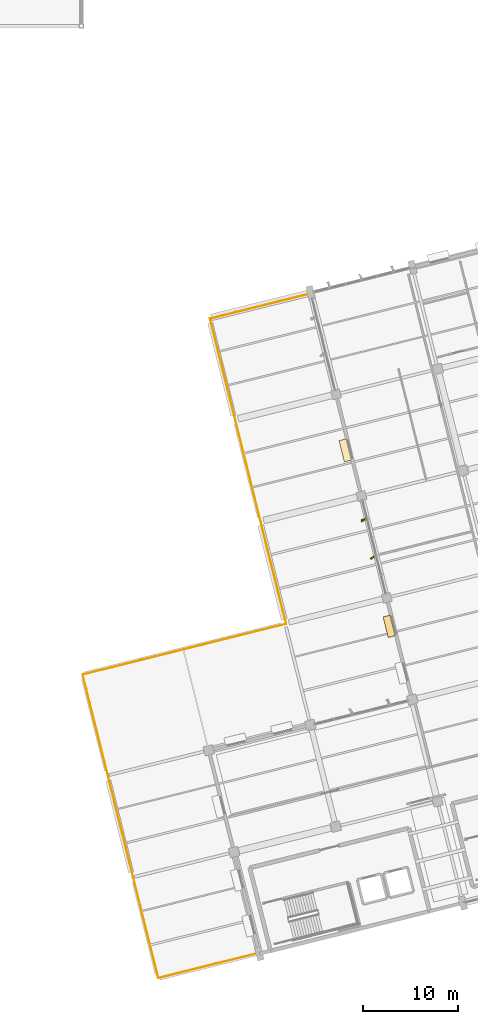
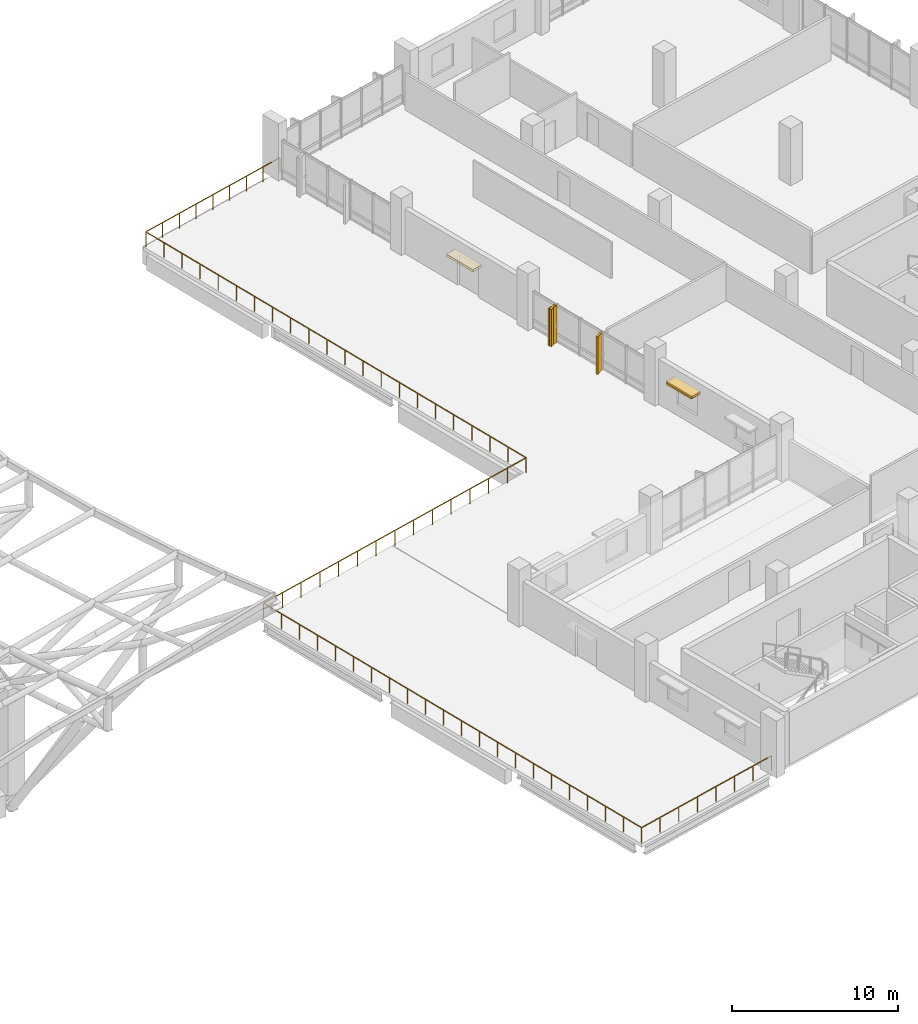
# One storey, part 72 of 75: 3 coverings, 3 shading devices, 1 railing.
"""IFC4 building model written with IfcOpenShell, lengths in metres."""

from ifc_helpers import new_model, si_unit, direction, frame, origin, origin_2d, place, context, subcontext, project, spatial, rectangle, extrude, material, layer, layer_set, type_object, element, save


model = new_model("IFC4")

# Units and contexts
model_context = context("Model", 3, precision=1e-05, world=origin(), true_north=direction((0.0, 1.0)))
body_context = subcontext(model_context, "Body", "Model", "MODEL_VIEW")
ifc_project = project(units=[si_unit("LENGTHUNIT", "METRE"), si_unit("AREAUNIT", "SQUARE_METRE"), si_unit("VOLUMEUNIT", "CUBIC_METRE"), si_unit("PLANEANGLEUNIT", "RADIAN"), si_unit("MASSUNIT", "GRAM", prefix="KILO")], contexts=[model_context])

# Site, building, storey
site_placement = place(None, origin())
site = spatial("IfcSite", under=ifc_project, at=site_placement, CompositionType="ELEMENT")
building_placement = place(site_placement, origin())
building = spatial("IfcBuilding", under=site, at=building_placement, Name="Khorjan Park Terminus", CompositionType="ELEMENT")
storey_placement = place(building_placement, frame((0.0, 0.0, 16.2)))
storey = spatial("IfcBuildingStorey", under=building, at=storey_placement, Name="L03", CompositionType="ELEMENT", Elevation=16.2)

# Coverings
ifc_material_1 = material(Name="Pigmented Precast GRC", Category="concrete")
ifc_layer_1 = layer(ifc_material_1, 0.16)
ifc_layer_set_1 = layer_set([ifc_layer_1], Name="Pigmented Precast GRC")
covering_type_1 = type_object("IfcCoveringType", Name="CV-FIN-GRC", PredefinedType="CLADDING", material=ifc_layer_set_1)
covering_1_placement = place(storey_placement, frame((187.6291, 50.1907, -0.02), z_axis=(0.0, 0.0, 1.0), x_axis=(0.970295726276, 0.2419218956, 0.0)))
element("IfcCovering", 1, at=covering_1_placement, inside=storey, type_object=covering_type_1, Name="Projecting desert-sandstone GRC facade fin CL-FN1 (CW-V5-NW1-L03-B03-1)", PredefinedType="CLADDING", context=body_context, shape_type="SweptSolid", body=[
    extrude(rectangle(XDim=0.58, YDim=0.16, at=origin_2d()), origin(), (0.0, 0.0, 1.0), 2.755),
])
ifc_layer_2 = layer(ifc_material_1, 0.18)
ifc_layer_set_2 = layer_set([ifc_layer_2], Name="Pigmented Precast GRC")
covering_type_2 = type_object("IfcCoveringType", Name="CV-HOOD-GRC", PredefinedType="CLADDING", material=ifc_layer_set_2)
covering_2_placement = place(storey_placement, frame((185.6707, 57.4667, 2.31), z_axis=(0.0, 0.0, 1.0), x_axis=(0.241910181861, -0.970298646764, 0.0)))
element("IfcCovering", 2, at=covering_2_placement, inside=storey, type_object=covering_type_2, Name="Projecting pigmented-GRC entrance canopy hood CL-HD1 (EW-V5-NW1-L03-B02)", PredefinedType="CLADDING", context=body_context, shape_type="SweptSolid", body=[
    extrude(rectangle(XDim=2.3, YDim=0.76, at=origin_2d()), origin(), (0.0, 0.0, 1.0), 0.18),
])
covering_3_placement = place(storey_placement, frame((190.2779, 39.0089, 2.58), z_axis=(0.0, 0.0, 1.0), x_axis=(0.24192722513, -0.970294397459, 0.0)))
element("IfcCovering", 3, at=covering_3_placement, inside=storey, type_object=covering_type_2, Name="Projecting desert-sandstone GRC window eyebrow CL-HD1 (EW-V5-NW1-L03-B04-1)", PredefinedType="CLADDING", context=body_context, shape_type="SweptSolid", body=[
    extrude(rectangle(XDim=2.24, YDim=0.74, at=origin_2d()), origin(), (0.0, 0.0, 1.0), 0.16),
])

# Railing
ifc_material_2 = material(Name="Anodized Bronze Aluminium & Laminated Glass", Category="aluminium")
railing_type = type_object("IfcRailingType", Name="GR-BAL", PredefinedType="BALUSTRADE", material=ifc_material_2)
railing_placement = place(storey_placement, frame((176.6491, 4.7582, 0.0)))
element("IfcRailing", 4, at=railing_placement, inside=storey, type_object=railing_type, Name="Perimeter safety guard GB-112 (L03-80)", PredefinedType="BALUSTRADE", context=body_context, shape_type="SweptSolid", body=[
    extrude(rectangle(XDim=0.048, YDim=0.048, at=origin_2d()), frame((0.0, 0.0, 1.096), z_axis=(-0.9702950319, -0.241924680571, 0.0), x_axis=(0.241924680571, -0.9702950319, 0.0)), (0.0, 0.0, 1.0), 10.9001),
    extrude(rectangle(XDim=0.048, YDim=0.048, at=origin_2d()), frame((-10.5763, -2.637, 1.096), z_axis=(-0.241920082897, 0.970296178232, 0.0), x_axis=(-0.970296178232, -0.241920082897, 0.0)), (0.0, 0.0, 1.0), 32.8001),
    extrude(rectangle(XDim=0.048, YDim=0.048, at=origin_2d()), frame((-18.5113, 29.1888, 1.096), z_axis=(0.970296582125, 0.241918462951, 0.0), x_axis=(-0.241918462951, 0.970296582125, 0.0)), (0.0, 0.0, 1.0), 22.0),
    extrude(rectangle(XDim=0.048, YDim=0.048, at=origin_2d()), frame((2.8352, 34.511, 1.096), z_axis=(-0.241920960248, 0.970295959485, 0.0), x_axis=(-0.970295959485, -0.241920960248, 0.0)), (0.0, 0.0, 1.0), 33.0),
    extrude(rectangle(XDim=0.048, YDim=0.048, at=origin_2d()), frame((-5.1482, 66.5308, 1.096), z_axis=(0.970295780267, 0.241921679055, 0.0), x_axis=(-0.241921679055, 0.970295780267, 0.0)), (0.0, 0.0, 1.0), 11.2301),
    extrude(rectangle(XDim=0.042, YDim=0.042, at=origin_2d()), origin(), (0.0, 0.0, 1.0), 1.072),
    extrude(rectangle(XDim=0.042, YDim=0.042, at=origin_2d()), frame((-1.5109, -0.3767, 0.0)), (0.0, 0.0, 1.0), 1.072),
    extrude(rectangle(XDim=0.042, YDim=0.042, at=origin_2d()), frame((-3.0218, -0.7534, 0.0)), (0.0, 0.0, 1.0), 1.072),
    extrude(rectangle(XDim=0.042, YDim=0.042, at=origin_2d()), frame((-4.5327, -1.1301, 0.0)), (0.0, 0.0, 1.0), 1.072),
    extrude(rectangle(XDim=0.042, YDim=0.042, at=origin_2d()), frame((-6.0436, -1.5069, 0.0)), (0.0, 0.0, 1.0), 1.072),
    extrude(rectangle(XDim=0.042, YDim=0.042, at=origin_2d()), frame((-7.5545, -1.8836, 0.0)), (0.0, 0.0, 1.0), 1.072),
    extrude(rectangle(XDim=0.042, YDim=0.042, at=origin_2d()), frame((-9.0654, -2.2603, 0.0)), (0.0, 0.0, 1.0), 1.072),
    extrude(rectangle(XDim=0.042, YDim=0.042, at=origin_2d()), frame((-10.5763, -2.637, 0.0)), (0.0, 0.0, 1.0), 1.072),
    extrude(rectangle(XDim=0.042, YDim=0.042, at=origin_2d()), frame((-10.9542, -1.1215, 0.0)), (0.0, 0.0, 1.0), 1.072),
    extrude(rectangle(XDim=0.042, YDim=0.042, at=origin_2d()), frame((-11.332, 0.394, 0.0)), (0.0, 0.0, 1.0), 1.072),
    extrude(rectangle(XDim=0.042, YDim=0.042, at=origin_2d()), frame((-11.7099, 1.9095, 0.0)), (0.0, 0.0, 1.0), 1.072),
    extrude(rectangle(XDim=0.042, YDim=0.042, at=origin_2d()), frame((-12.0877, 3.4251, 0.0)), (0.0, 0.0, 1.0), 1.072),
    extrude(rectangle(XDim=0.042, YDim=0.042, at=origin_2d()), frame((-12.4656, 4.9406, 0.0)), (0.0, 0.0, 1.0), 1.072),
    extrude(rectangle(XDim=0.042, YDim=0.042, at=origin_2d()), frame((-12.8434, 6.4561, 0.0)), (0.0, 0.0, 1.0), 1.072),
    extrude(rectangle(XDim=0.042, YDim=0.042, at=origin_2d()), frame((-13.2213, 7.9716, 0.0)), (0.0, 0.0, 1.0), 1.072),
    extrude(rectangle(XDim=0.042, YDim=0.042, at=origin_2d()), frame((-13.5992, 9.4871, 0.0)), (0.0, 0.0, 1.0), 1.072),
    extrude(rectangle(XDim=0.042, YDim=0.042, at=origin_2d()), frame((-13.977, 11.0026, 0.0)), (0.0, 0.0, 1.0), 1.072),
    extrude(rectangle(XDim=0.042, YDim=0.042, at=origin_2d()), frame((-14.3549, 12.5181, 0.0)), (0.0, 0.0, 1.0), 1.072),
    extrude(rectangle(XDim=0.042, YDim=0.042, at=origin_2d()), frame((-14.7327, 14.0337, 0.0)), (0.0, 0.0, 1.0), 1.072),
    extrude(rectangle(XDim=0.042, YDim=0.042, at=origin_2d()), frame((-15.1106, 15.5492, 0.0)), (0.0, 0.0, 1.0), 1.072),
    extrude(rectangle(XDim=0.042, YDim=0.042, at=origin_2d()), frame((-15.4884, 17.0647, 0.0)), (0.0, 0.0, 1.0), 1.072),
    extrude(rectangle(XDim=0.042, YDim=0.042, at=origin_2d()), frame((-15.8663, 18.5802, 0.0)), (0.0, 0.0, 1.0), 1.072),
    extrude(rectangle(XDim=0.042, YDim=0.042, at=origin_2d()), frame((-16.2442, 20.0957, 0.0)), (0.0, 0.0, 1.0), 1.072),
    extrude(rectangle(XDim=0.042, YDim=0.042, at=origin_2d()), frame((-16.622, 21.6112, 0.0)), (0.0, 0.0, 1.0), 1.072),
    extrude(rectangle(XDim=0.042, YDim=0.042, at=origin_2d()), frame((-16.9999, 23.1267, 0.0)), (0.0, 0.0, 1.0), 1.072),
    extrude(rectangle(XDim=0.042, YDim=0.042, at=origin_2d()), frame((-17.3777, 24.6423, 0.0)), (0.0, 0.0, 1.0), 1.072),
    extrude(rectangle(XDim=0.042, YDim=0.042, at=origin_2d()), frame((-17.7556, 26.1578, 0.0)), (0.0, 0.0, 1.0), 1.072),
    extrude(rectangle(XDim=0.042, YDim=0.042, at=origin_2d()), frame((-18.1334, 27.6733, 0.0)), (0.0, 0.0, 1.0), 1.072),
    extrude(rectangle(XDim=0.042, YDim=0.042, at=origin_2d()), frame((-18.5113, 29.1888, 0.0)), (0.0, 0.0, 1.0), 1.072),
    extrude(rectangle(XDim=0.042, YDim=0.042, at=origin_2d()), frame((-16.9866, 29.569, 0.0)), (0.0, 0.0, 1.0), 1.072),
    extrude(rectangle(XDim=0.042, YDim=0.042, at=origin_2d()), frame((-15.4618, 29.9491, 0.0)), (0.0, 0.0, 1.0), 1.072),
    extrude(rectangle(XDim=0.042, YDim=0.042, at=origin_2d()), frame((-13.9371, 30.3293, 0.0)), (0.0, 0.0, 1.0), 1.072),
    extrude(rectangle(XDim=0.042, YDim=0.042, at=origin_2d()), frame((-12.4123, 30.7094, 0.0)), (0.0, 0.0, 1.0), 1.072),
    extrude(rectangle(XDim=0.042, YDim=0.042, at=origin_2d()), frame((-10.8876, 31.0896, 0.0)), (0.0, 0.0, 1.0), 1.072),
    extrude(rectangle(XDim=0.042, YDim=0.042, at=origin_2d()), frame((-9.3628, 31.4697, 0.0)), (0.0, 0.0, 1.0), 1.072),
    extrude(rectangle(XDim=0.042, YDim=0.042, at=origin_2d()), frame((-7.8381, 31.8499, 0.0)), (0.0, 0.0, 1.0), 1.072),
    extrude(rectangle(XDim=0.042, YDim=0.042, at=origin_2d()), frame((-6.3133, 32.2301, 0.0)), (0.0, 0.0, 1.0), 1.072),
    extrude(rectangle(XDim=0.042, YDim=0.042, at=origin_2d()), frame((-4.7886, 32.6102, 0.0)), (0.0, 0.0, 1.0), 1.072),
    extrude(rectangle(XDim=0.042, YDim=0.042, at=origin_2d()), frame((-3.2638, 32.9904, 0.0)), (0.0, 0.0, 1.0), 1.072),
    extrude(rectangle(XDim=0.042, YDim=0.042, at=origin_2d()), frame((-1.7391, 33.3705, 0.0)), (0.0, 0.0, 1.0), 1.072),
    extrude(rectangle(XDim=0.042, YDim=0.042, at=origin_2d()), frame((-0.2143, 33.7507, 0.0)), (0.0, 0.0, 1.0), 1.072),
    extrude(rectangle(XDim=0.042, YDim=0.042, at=origin_2d()), frame((1.3104, 34.1308, 0.0)), (0.0, 0.0, 1.0), 1.072),
    extrude(rectangle(XDim=0.042, YDim=0.042, at=origin_2d()), frame((2.8352, 34.511, 0.0)), (0.0, 0.0, 1.0), 1.072),
    extrude(rectangle(XDim=0.042, YDim=0.042, at=origin_2d()), frame((2.455, 36.0358, 0.0)), (0.0, 0.0, 1.0), 1.072),
    extrude(rectangle(XDim=0.042, YDim=0.042, at=origin_2d()), frame((2.0749, 37.5605, 0.0)), (0.0, 0.0, 1.0), 1.072),
    extrude(rectangle(XDim=0.042, YDim=0.042, at=origin_2d()), frame((1.6947, 39.0853, 0.0)), (0.0, 0.0, 1.0), 1.072),
    extrude(rectangle(XDim=0.042, YDim=0.042, at=origin_2d()), frame((1.3146, 40.61, 0.0)), (0.0, 0.0, 1.0), 1.072),
    extrude(rectangle(XDim=0.042, YDim=0.042, at=origin_2d()), frame((0.9344, 42.1348, 0.0)), (0.0, 0.0, 1.0), 1.072),
    extrude(rectangle(XDim=0.042, YDim=0.042, at=origin_2d()), frame((0.5542, 43.6595, 0.0)), (0.0, 0.0, 1.0), 1.072),
    extrude(rectangle(XDim=0.042, YDim=0.042, at=origin_2d()), frame((0.1741, 45.1843, 0.0)), (0.0, 0.0, 1.0), 1.072),
    extrude(rectangle(XDim=0.042, YDim=0.042, at=origin_2d()), frame((-0.2061, 46.709, 0.0)), (0.0, 0.0, 1.0), 1.072),
    extrude(rectangle(XDim=0.042, YDim=0.042, at=origin_2d()), frame((-0.5863, 48.2338, 0.0)), (0.0, 0.0, 1.0), 1.072),
    extrude(rectangle(XDim=0.042, YDim=0.042, at=origin_2d()), frame((-0.9664, 49.7585, 0.0)), (0.0, 0.0, 1.0), 1.072),
    extrude(rectangle(XDim=0.042, YDim=0.042, at=origin_2d()), frame((-1.3466, 51.2833, 0.0)), (0.0, 0.0, 1.0), 1.072),
    extrude(rectangle(XDim=0.042, YDim=0.042, at=origin_2d()), frame((-1.7267, 52.808, 0.0)), (0.0, 0.0, 1.0), 1.072),
    extrude(rectangle(XDim=0.042, YDim=0.042, at=origin_2d()), frame((-2.1069, 54.3328, 0.0)), (0.0, 0.0, 1.0), 1.072),
    extrude(rectangle(XDim=0.042, YDim=0.042, at=origin_2d()), frame((-2.4871, 55.8575, 0.0)), (0.0, 0.0, 1.0), 1.072),
    extrude(rectangle(XDim=0.042, YDim=0.042, at=origin_2d()), frame((-2.8672, 57.3823, 0.0)), (0.0, 0.0, 1.0), 1.072),
    extrude(rectangle(XDim=0.042, YDim=0.042, at=origin_2d()), frame((-3.2474, 58.907, 0.0)), (0.0, 0.0, 1.0), 1.072),
    extrude(rectangle(XDim=0.042, YDim=0.042, at=origin_2d()), frame((-3.6276, 60.4318, 0.0)), (0.0, 0.0, 1.0), 1.072),
    extrude(rectangle(XDim=0.042, YDim=0.042, at=origin_2d()), frame((-4.0077, 61.9565, 0.0)), (0.0, 0.0, 1.0), 1.072),
    extrude(rectangle(XDim=0.042, YDim=0.042, at=origin_2d()), frame((-4.3879, 63.4813, 0.0)), (0.0, 0.0, 1.0), 1.072),
    extrude(rectangle(XDim=0.042, YDim=0.042, at=origin_2d()), frame((-4.768, 65.006, 0.0)), (0.0, 0.0, 1.0), 1.072),
    extrude(rectangle(XDim=0.042, YDim=0.042, at=origin_2d()), frame((-5.1482, 66.5308, 0.0)), (0.0, 0.0, 1.0), 1.072),
    extrude(rectangle(XDim=0.042, YDim=0.042, at=origin_2d()), frame((-3.7861, 66.8704, 0.0)), (0.0, 0.0, 1.0), 1.072),
    extrude(rectangle(XDim=0.042, YDim=0.042, at=origin_2d()), frame((-2.4241, 67.21, 0.0)), (0.0, 0.0, 1.0), 1.072),
    extrude(rectangle(XDim=0.042, YDim=0.042, at=origin_2d()), frame((-1.062, 67.5496, 0.0)), (0.0, 0.0, 1.0), 1.072),
    extrude(rectangle(XDim=0.042, YDim=0.042, at=origin_2d()), frame((0.3, 67.8892, 0.0)), (0.0, 0.0, 1.0), 1.072),
    extrude(rectangle(XDim=0.042, YDim=0.042, at=origin_2d()), frame((1.6621, 68.2288, 0.0)), (0.0, 0.0, 1.0), 1.072),
    extrude(rectangle(XDim=0.042, YDim=0.042, at=origin_2d()), frame((3.0242, 68.5684, 0.0)), (0.0, 0.0, 1.0), 1.072),
    extrude(rectangle(XDim=0.042, YDim=0.042, at=origin_2d()), frame((4.3862, 68.908, 0.0)), (0.0, 0.0, 1.0), 1.072),
    extrude(rectangle(XDim=0.042, YDim=0.042, at=origin_2d()), frame((5.7483, 69.2476, 0.0)), (0.0, 0.0, 1.0), 1.072),
])

# Shading devices
ifc_material_3 = material(Name="Anodized Bronze Aluminium", Category="aluminium")
shading_device_type_1 = type_object("IfcShadingDeviceType", Name="SD-FIN-620", PredefinedType="JALOUSIE", material=ifc_material_3)
for number, where, z_axis, x_axis, name in (
    (5, (187.6291, 50.1907, -0.02), (0.0, 0.0, 1.0), (0.809016994375, 0.587785252292, 0.0), "Angled solar brise-soleil fin SF-62 (CW-V5-NW1-L03-B03-1)"),
    (6, (188.6054, 46.2747, -0.02), (0.0, 0.0, 1.0), (0.809016994375, 0.587785252292, 0.0), "Angled solar brise-soleil fin SF-62 (CW-V5-NW1-L03-B03-3)"),
):
    element("IfcShadingDevice", number, at=place(storey_placement, frame(where, z_axis=z_axis, x_axis=x_axis)), inside=storey, type_object=shading_device_type_1, Name=name, PredefinedType="JALOUSIE", context=body_context, shape_type="SweptSolid", body=[
        extrude(rectangle(XDim=0.62, YDim=0.14, at=origin_2d()), origin(), (0.0, 0.0, 1.0), 2.755),
    ])
shading_device_type_2 = type_object("IfcShadingDeviceType", Name="SD-SUN-750", PredefinedType="SHUTTER", material=ifc_material_3)
shading_device_placement = place(storey_placement, frame((190.2779, 39.0089, 2.51), z_axis=(0.0, 0.0, 1.0), x_axis=(0.24192722513, -0.970294397459, 0.0)))
element("IfcShadingDevice", 7, at=shading_device_placement, inside=storey, type_object=shading_device_type_2, Name="Projecting solar overhang hood SH-75 (EW-V5-NW1-L03-B04-1)", PredefinedType="SHUTTER", context=body_context, shape_type="SweptSolid", body=[
    extrude(rectangle(XDim=2.16, YDim=0.76, at=origin_2d()), origin(), (0.0, 0.0, 1.0), 0.14),
])

save(model, "model.ifc")
